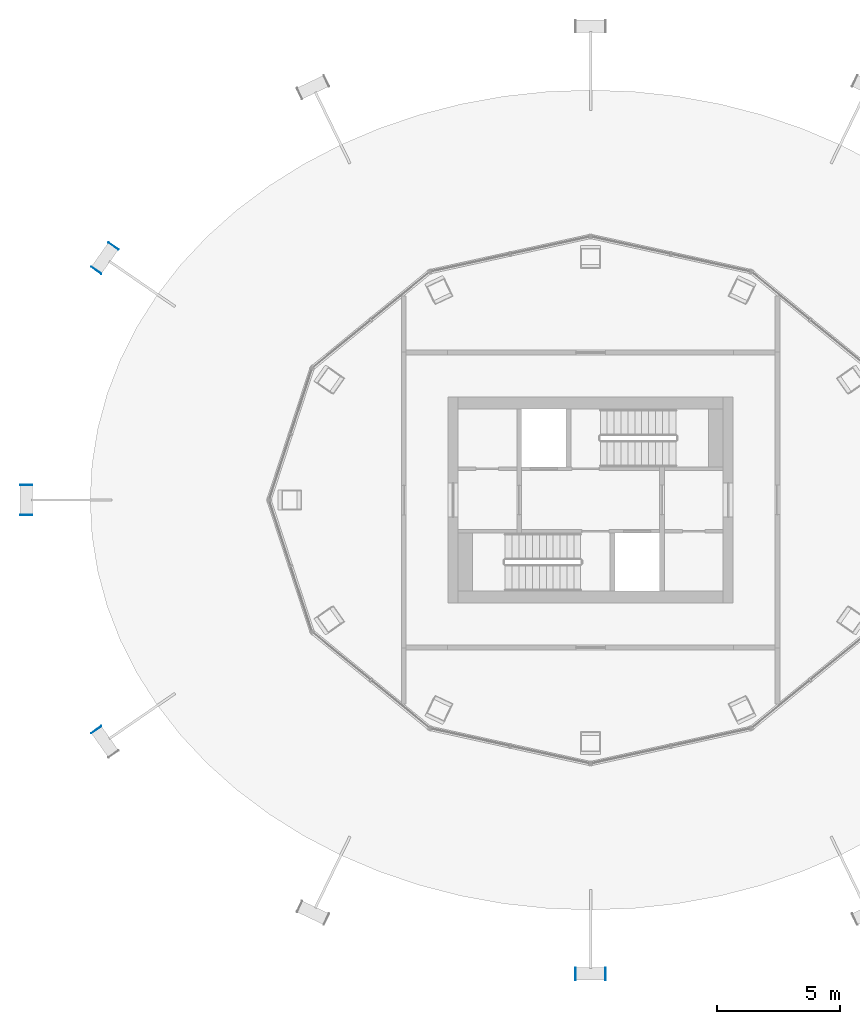
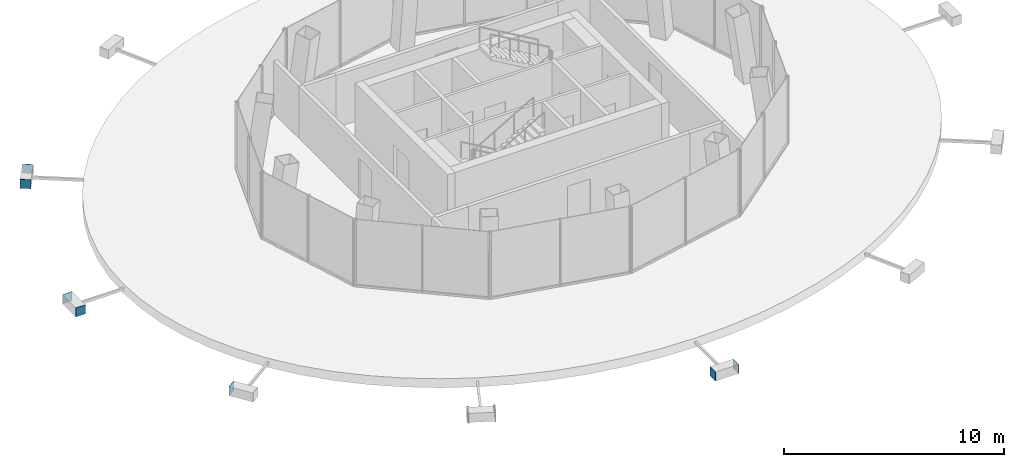
# One storey, part 7 of 10: 7 discrete accessories.
"""IFC4 building model written with IfcOpenShell, lengths in metres."""

import ifcopenshell
import ifcopenshell.guid

model = None  # the IFC model being written
_history = None  # IfcOwnerHistory: only IFC2X3 demands one
_inside = {}  # id of a spatial element -> (the spatial element, [elements in it])
_under = {}  # id of a project, library or spatial element -> (it, [spatial elements below it])
_declared = {}  # id of a project -> (the project, [libraries it declares])
_typed = {}  # id of a type object -> (the type object, [elements of that type])
_made_of = {}  # id of a material, layer set ... -> (it, [elements and type objects made of it])


def new_model(schema):
    """Start an empty IFC model of exactly this schema.

    Asked for "IFC4X3", IfcOpenShell would pick the latest addendum, in which some entities
    have other attributes; the version numbers below select the first issue.
    IFC2X3 requires an IfcOwnerHistory on every rooted entity: one is made here for all.
    """
    global model, _history
    if schema == "IFC4X3":
        model = ifcopenshell.file(schema_version=(4, 3, 0, 0))
    else:
        model = ifcopenshell.file(schema=schema)
    _inside.clear()
    _under.clear()
    _declared.clear()
    _typed.clear()
    _made_of.clear()
    _history = None
    if model.schema == "IFC2X3":
        org = make("IfcOrganization", Name="unknown")
        user = make(
            "IfcPersonAndOrganization",
            ThePerson=make("IfcPerson", FamilyName="unknown"),
            TheOrganization=org,
        )
        app = make(
            "IfcApplication",
            ApplicationDeveloper=org,
            Version="unknown",
            ApplicationFullName="unknown",
            ApplicationIdentifier="unknown",
        )
        _history = make(
            "IfcOwnerHistory",
            OwningUser=user,
            OwningApplication=app,
            ChangeAction="ADDED",
            CreationDate=0,
        )
    return model


def make(cls, **values):
    """One entity of the class cls with the attributes given. An attribute that is None is left unset."""
    return model.create_entity(
        cls, **{name: value for name, value in values.items() if value is not None}
    )


def rooted(cls, **values):
    """An entity with a GlobalId (a new one), such as an element, a storey or a relation."""
    return make(cls, GlobalId=ifcopenshell.guid.new(), OwnerHistory=_history, **values)


def si_unit(unit_type, name, prefix=None):
    """IfcSIUnit, for example si_unit("LENGTHUNIT", "METRE", prefix="MILLI")."""
    return make("IfcSIUnit", UnitType=unit_type, Prefix=prefix, Name=name)


def assignment(units):
    """IfcUnitAssignment: the units of a project."""
    return None if units is None else make("IfcUnitAssignment", Units=units)


def point(xyz):
    """IfcCartesianPoint."""
    return None if xyz is None else make("IfcCartesianPoint", Coordinates=xyz)


def direction(xyz):
    """IfcDirection."""
    return None if xyz is None else make("IfcDirection", DirectionRatios=xyz)


def frame(location, z_axis=None, x_axis=None):
    """IfcAxis2Placement3D, a coordinate frame: its origin and axes. An axis left out is left unset."""
    return make(
        "IfcAxis2Placement3D",
        Location=point(location),
        Axis=direction(z_axis),
        RefDirection=direction(x_axis),
    )


def frame_2d(location, x_axis=None):
    """IfcAxis2Placement2D, a coordinate frame in the plane: its origin and x axis."""
    return make(
        "IfcAxis2Placement2D", Location=point(location), RefDirection=direction(x_axis)
    )


def origin():
    """The frame at (0, 0, 0) with its axes left unset."""
    return frame((0.0, 0.0, 0.0))


def origin_2d():
    """The frame at (0, 0) in the plane with its x axis left unset."""
    return frame_2d((0.0, 0.0))


def place(relative_to, where):
    """IfcLocalPlacement: puts the frame where relative to a parent placement (None: the world)."""
    return make(
        "IfcLocalPlacement", PlacementRelTo=relative_to, RelativePlacement=where
    )


def context(
    kind, dimensions, precision=None, world=None, true_north=None, identifier=None
):
    """IfcGeometricRepresentationContext, for example the 3D "Model" context."""
    return make(
        "IfcGeometricRepresentationContext",
        ContextIdentifier=identifier,
        ContextType=kind,
        CoordinateSpaceDimension=dimensions,
        Precision=precision,
        WorldCoordinateSystem=world,
        TrueNorth=true_north,
    )


def subcontext(parent, identifier, kind, view, scale=None):
    """IfcGeometricRepresentationSubContext, for example "Body" below "Model"."""
    return make(
        "IfcGeometricRepresentationSubContext",
        ContextIdentifier=identifier,
        ContextType=kind,
        ParentContext=parent,
        TargetScale=scale,
        TargetView=view,
    )


def project(units=None, contexts=None):
    """IfcProject with its units and contexts."""
    return rooted(
        "IfcProject",
        Name="project",
        RepresentationContexts=contexts,
        UnitsInContext=assignment(units),
    )


def spatial(cls, under=None, at=None, **own):
    """A site, building, storey or space (cls), placed at a placement, below another one or the project."""
    s = rooted(cls, ObjectPlacement=at, **own)
    if under is not None:
        _under.setdefault(under.id(), (under, []))[1].append(s)
    return s


def profile(cls, at=None, kind="AREA", **sizes):
    """A parametric profile (cls). Its sizes go by their IFC names, for example OverallWidth=200.0."""
    return make(cls, ProfileType=kind, Position=at, **sizes)


def rectangle(**sizes):
    """IfcRectangleProfileDef."""
    return profile("IfcRectangleProfileDef", **sizes)


def extrude(swept, where, along, depth):
    """IfcExtrudedAreaSolid: the profile swept, set in the frame where, extruded along a direction by depth."""
    return make(
        "IfcExtrudedAreaSolid",
        SweptArea=swept,
        Position=where,
        ExtrudedDirection=direction(along),
        Depth=depth,
    )


def shape(context_of_items, identifier, shape_type, items):
    """IfcShapeRepresentation: the items that make up one representation, for example the "Body"."""
    return make(
        "IfcShapeRepresentation",
        ContextOfItems=context_of_items,
        RepresentationIdentifier=identifier,
        RepresentationType=shape_type,
        Items=items,
    )


def material(Name=None, Category=None):
    """IfcMaterial."""
    return make("IfcMaterial", Name=Name, Category=Category)


def layer(
    of_material, thickness, ventilated=None, Name=None, Category=None, Priority=None
):
    """IfcMaterialLayer: one layer of a wall or slab, of a material (None: an air gap)."""
    return make(
        "IfcMaterialLayer",
        Material=of_material,
        LayerThickness=thickness,
        IsVentilated=ventilated,
        Name=Name,
        Category=Category,
        Priority=Priority,
    )


def layer_set(layers, Name=None):
    """IfcMaterialLayerSet."""
    return make("IfcMaterialLayerSet", MaterialLayers=layers, LayerSetName=Name)


def made_of(thing, what):
    """Note that an element or type object is made of a material, layer set ...; save() writes the relation."""
    if what is not None:
        _made_of.setdefault(what.id(), (what, []))[1].append(thing)
    return thing


def type_object(cls, material=None, **own):
    """A type object (cls), such as IfcWallType, which elements share."""
    return made_of(rooted(cls, **own), material)


def element(
    cls,
    number,
    at=None,
    inside=None,
    cuts=None,
    type_object=None,
    material=None,
    context=None,
    identifier="Body",
    shape_type=None,
    held_by="IfcProductDefinitionShape",
    body=None,
    shapes=None,
    **own,
):
    """One element of the class cls, such as IfcWall. Its Tag is "e" and its number.

    at: its placement. inside: the storey or other place that contains it. cuts: it is an
    opening in that element (IfcRelVoidsElement). A single representation is given by context,
    identifier, shape_type and body (its items); several are given by shapes. held_by: the class
    of the entity that holds the representations. save() writes the other relations.
    """
    e = rooted(cls, Tag="e%d" % number, ObjectPlacement=at, **own)
    if body is not None:
        shapes = [shape(context, identifier, shape_type, body)]
    if shapes is not None:
        e.Representation = make(held_by, Representations=shapes)
    if inside is not None:
        _inside.setdefault(inside.id(), (inside, []))[1].append(e)
    if cuts is not None:
        rooted(
            "IfcRelVoidsElement", RelatingBuildingElement=cuts, RelatedOpeningElement=e
        )
    if type_object is not None:
        _typed.setdefault(type_object.id(), (type_object, []))[1].append(e)
    return made_of(e, material)


def aggregate(whole, parts):
    """IfcRelAggregates: a whole, such as a stair, and the parts it consists of."""
    return rooted("IfcRelAggregates", RelatingObject=whole, RelatedObjects=parts)


def save(model, path):
    """Write the relations noted so far, then the file.

    IfcRelAggregates (storeys below a building ...), IfcRelContainedInSpatialStructure (elements
    in a storey), IfcRelDefinesByType, IfcRelAssociatesMaterial and IfcRelDeclares: one each for
    every whole, place, type object, material and project.
    """
    for whole, parts in _under.values():
        aggregate(whole, parts)
    for where, things in _inside.values():
        rooted(
            "IfcRelContainedInSpatialStructure",
            RelatedElements=things,
            RelatingStructure=where,
        )
    for kind, things in _typed.values():
        rooted("IfcRelDefinesByType", RelatedObjects=things, RelatingType=kind)
    for what, things in _made_of.values():
        rooted("IfcRelAssociatesMaterial", RelatedObjects=things, RelatingMaterial=what)
    for by, libraries in _declared.values():
        rooted("IfcRelDeclares", RelatingContext=by, RelatedDefinitions=libraries)
    model.write(path)


model = new_model("IFC4")

# Units and contexts
model_context = context("Model", 3, precision=1e-05, world=origin(), true_north=direction((0.0, 1.0)))
body_context = subcontext(model_context, "Body", "Model", "MODEL_VIEW")
ifc_project = project(units=[si_unit("LENGTHUNIT", "METRE"), si_unit("AREAUNIT", "SQUARE_METRE"), si_unit("VOLUMEUNIT", "CUBIC_METRE"), si_unit("PLANEANGLEUNIT", "RADIAN"), si_unit("MASSUNIT", "GRAM", prefix="KILO")], contexts=[model_context])

# Site, building, storey
site_placement = place(None, origin())
site = spatial("IfcSite", under=ifc_project, at=site_placement, CompositionType="ELEMENT")
building_placement = place(site_placement, origin())
building = spatial("IfcBuilding", under=site, at=building_placement, Name="Siaravel Broadcast Tower", CompositionType="ELEMENT")
storey_placement = place(building_placement, frame((0.0, 0.0, 272.60009765625)))
storey = spatial("IfcBuildingStorey", under=building, at=storey_placement, Name="L66", CompositionType="ELEMENT", Elevation=272.60009765625)

# Discrete accessories
ifc_material = material(Name="Steel S355", Category="steel")
ifc_layer = layer(ifc_material, 0.02001953125)
ifc_layer_set = layer_set([ifc_layer], Name="Steel S355")
discrete_accessory_type = type_object("IfcDiscreteAccessoryType", Name="Steel end plate 20 mm", PredefinedType="USERDEFINED", material=ifc_layer_set)
for number, where, z_axis, x_axis, name in (
    (1, (-20.108154296875, 9.3447265625, -0.4501953125), (0.0, 0.0, 1.0), (-0.576118513, -0.817366172, 0.0), "End plate R27 station 30A"),
    (2, (-19.412841796875, 10.3310546875, -0.4501953125), (0.0, 0.0, 1.0), (-0.576118513, -0.817366172, 0.0), "End plate R27 station 30B"),
    (3, (-22.96337890625, -0.603515625, -0.4501953125), (0.0, 0.0, 1.0), (0.0, -1.0, 0.0), "End plate R27 station 36A"),
    (4, (-22.96337890625, 0.603515625, -0.4501953125), (0.0, 0.0, 1.0), (0.0, -1.0, 0.0), "End plate R27 station 36B"),
    (5, (-20.108154296875, -9.3447265625, -0.4501953125), (0.0, 0.0, 1.0), (0.576118513, -0.817366172, 0.0), "End plate R27 station 42B"),
    (6, (0.603515625, -19.280029296875, -0.4501953125), (0.0, 0.0, 1.0), (1.0, 0.0, 0.0), "End plate R27 station 54A"),
    (7, (-0.603515625, -19.280029296875, -0.4501953125), (0.0, 0.0, 1.0), (1.0, 0.0, 0.0), "End plate R27 station 54B"),
):
    element("IfcDiscreteAccessory", number, at=place(storey_placement, frame(where, z_axis=z_axis, x_axis=x_axis)), inside=storey, type_object=discrete_accessory_type, Name=name, ObjectType="END PLATE", PredefinedType="USERDEFINED", context=body_context, shape_type="SweptSolid", body=[
        extrude(rectangle(XDim=0.02001953125, YDim=0.5, at=origin_2d()), origin(), (0.0, 0.0, 1.0), 0.5),
    ])

save(model, "model.ifc")
